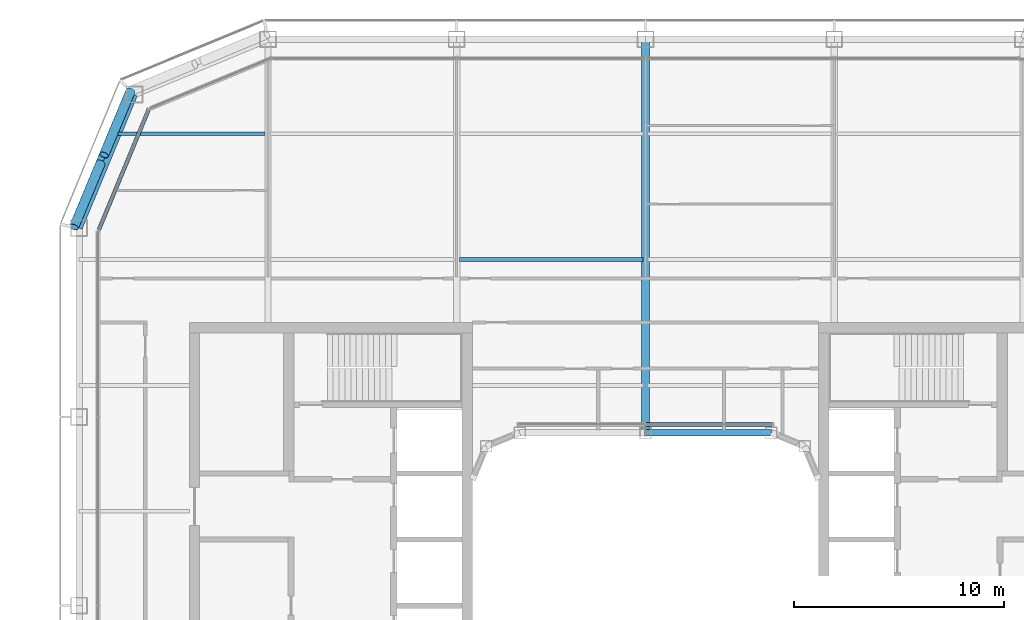
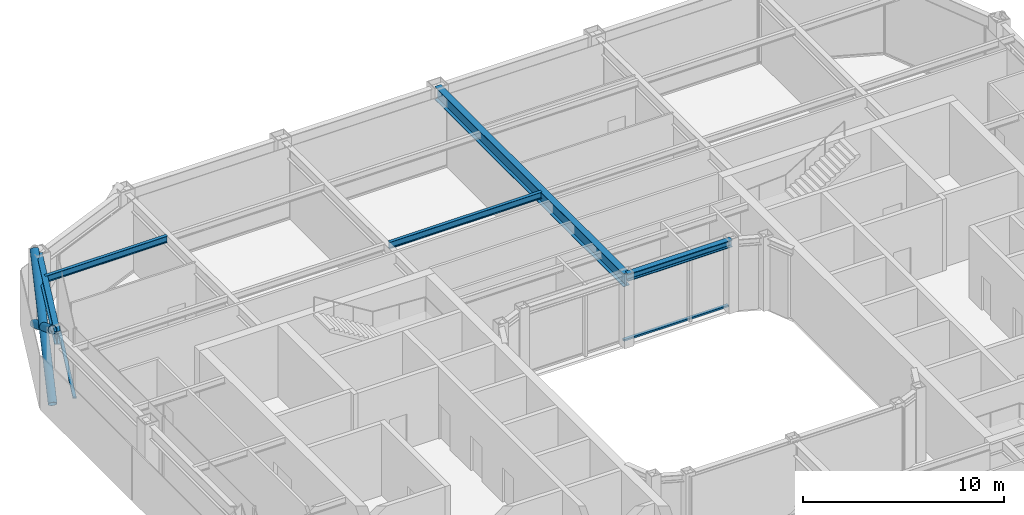
# One storey, part 7 of 23: 5 beams, 5 members, 2 elements without a shape of their own.
"""IFC4 building model written with IfcOpenShell, lengths in metres."""

from ifc_helpers import new_model, si_unit, direction, frame, origin, origin_2d, place, context, subcontext, project, spatial, rectangle, hollow_circle, i_section, extrude, material, layer, layer_set, material_profile, profile_set, type_object, element, aggregate, save


model = new_model("IFC4")

# Units and contexts
model_context = context("Model", 3, precision=1e-05, world=origin(), true_north=direction((0.0, 1.0)))
body_context = subcontext(model_context, "Body", "Model", "MODEL_VIEW")
ifc_project = project(units=[si_unit("LENGTHUNIT", "METRE"), si_unit("AREAUNIT", "SQUARE_METRE"), si_unit("VOLUMEUNIT", "CUBIC_METRE"), si_unit("PLANEANGLEUNIT", "RADIAN"), si_unit("MASSUNIT", "GRAM", prefix="KILO")], contexts=[model_context])

# Site, building, storey
site_placement = place(None, origin())
site = spatial("IfcSite", under=ifc_project, at=site_placement, CompositionType="ELEMENT")
building_placement = place(site_placement, origin())
building = spatial("IfcBuilding", under=site, at=building_placement, Name="Siwar Civic Tower", CompositionType="ELEMENT")
storey_placement = place(building_placement, frame((0.0, 0.0, 269.199951171875)))
storey = spatial("IfcBuildingStorey", under=building, at=storey_placement, Name="L58", CompositionType="ELEMENT", Elevation=269.199951171875)

# Curtain wall, member
ifc_material_1 = material(Name="Aluminium clad insulated panel", Category="aluminium")
ifc_layer_1 = layer(ifc_material_1, 0.179931640625)
ifc_layer_set_1 = layer_set([ifc_layer_1], Name="Aluminium clad insulated panel")
curtain_wall_type_1 = type_object("IfcCurtainWallType", Name="ENV-CW-CX", PredefinedType="NOTDEFINED", material=ifc_layer_set_1)
curtain_wall_1_placement = place(storey_placement, origin())
curtain_wall_1 = element("IfcCurtainWall", 1, at=curtain_wall_1_placement, inside=storey, type_object=curtain_wall_type_1, Name="Curtain wall C NW2", PredefinedType="NOTDEFINED")
ifc_material_2 = material(Name="Aluminium 6063-T6", Category="aluminium")
ifc_material_profile_1 = material_profile(ifc_material_2, rectangle(XDim=0.179931640625, YDim=0.10009765625, at=origin_2d()), Name="AL 180x100")
ifc_profile_set_1 = profile_set([ifc_material_profile_1], Name="Aluminium 6063-T6")
member_type_1 = type_object("IfcMemberType", Name="ENV-TRANSOM-C", PredefinedType="USERDEFINED", material=ifc_profile_set_1)
member_1_placement = place(storey_placement, frame((-23.6865234375, 23.6474609375, 0.050048828125), z_axis=(-0.382691366456, -0.923876246063, 0.0), x_axis=(0.923876246063, -0.382691366456, 0.0)))
member_1 = element("IfcMember", 2, at=member_1_placement, type_object=member_type_1, Name="Transom C NW2 1", ObjectType="TRANSOM", PredefinedType="USERDEFINED", context=body_context, shape_type="SweptSolid", body=[
    extrude(rectangle(XDim=0.179931640625, YDim=0.10009765625, at=origin_2d()), origin(), (0.0, 0.0, 1.0), 6.20166015625),
])
aggregate(curtain_wall_1, [member_1])

ifc_material_3 = material(Name="Aluminium and glass", Category="aluminium")
ifc_layer_2 = layer(ifc_material_3, 0.179931640625)
ifc_layer_set_2 = layer_set([ifc_layer_2], Name="Aluminium and glass")
curtain_wall_type_2 = type_object("IfcCurtainWallType", Name="ENV-CW-W", PredefinedType="NOTDEFINED", material=ifc_layer_set_2)
curtain_wall_2_placement = place(storey_placement, origin())
curtain_wall_2 = element("IfcCurtainWall", 3, at=curtain_wall_2_placement, inside=storey, type_object=curtain_wall_type_2, Name="Curtain wall W WN", PredefinedType="NOTDEFINED")
ifc_material_4 = material(Name="Aluminium 6063-T6", Category="aluminium")
ifc_material_profile_2 = material_profile(ifc_material_4, rectangle(XDim=0.179931640625, YDim=0.10009765625, at=origin_2d()), Name="AL 180x100")
ifc_profile_set_2 = profile_set([ifc_material_profile_2], Name="Aluminium 6063-T6")
member_type_2 = type_object("IfcMemberType", Name="ENV-TRANSOM-W", PredefinedType="USERDEFINED", material=ifc_profile_set_2)
member_2_placement = place(storey_placement, frame((6.046630859375, 8.635009765625, 0.050048828125), z_axis=(-1.0, 0.0, 0.0), x_axis=(0.0, -1.0, 0.0)))
member_2 = element("IfcMember", 4, at=member_2_placement, type_object=member_type_2, Name="Transom W WN 1", ObjectType="TRANSOM", PredefinedType="USERDEFINED", context=body_context, shape_type="SweptSolid", body=[
    extrude(rectangle(XDim=0.179931640625, YDim=0.10009765625, at=origin_2d()), origin(), (0.0, 0.0, 1.0), 6.0166015625),
])
aggregate(curtain_wall_2, [member_2])

# Members
ifc_material_5 = material(Name="Steel S355", Category="steel")
ifc_material_profile_3 = material_profile(ifc_material_5, hollow_circle(Radius=0.228515625, WallThickness=0.02001953125, at=origin_2d()), Name="CHS457x20")
ifc_profile_set_3 = profile_set([ifc_material_profile_3], Name="Steel S355")
member_type_3 = type_object("IfcMemberType", Name="STR-BR-CHS457x20", PredefinedType="BRACE", material=ifc_profile_set_3)
member_3_placement = place(storey_placement, frame((-27.2451171875, 18.048828125, 0.0), z_axis=(0.323905527954, 0.777554562952, 0.538975055633), x_axis=(-0.923108759191, 0.384538969033, 0.0)))
element("IfcMember", 5, at=member_3_placement, inside=storey, type_object=member_type_3, Name="L58/brc/CNW1-18-0-1", PredefinedType="BRACE", context=body_context, shape_type="SweptSolid", body=[
    extrude(hollow_circle(Radius=0.228515625, WallThickness=0.02001953125, at=origin_2d()), origin(), (0.0, 0.0, 1.0), 8.34912109375),
])
for number, where, z_axis, x_axis, name in (
    (6, (-24.540771484375, 24.540771484375, 0.0), (-0.323884455881, -0.777546448489, 0.538999424564), (0.92311621485, -0.38452107079, 0.0), "L58/brc/CNW1-18-0-2"),
    (7, (-25.972900390625, 21.10302734375, 2.383056640625), (-0.323895306243, -0.777572496853, 0.538955325357), (0.92311621485, -0.38452107079, 0.0), "L58/brc/CNW1-18-0-3"),
):
    element("IfcMember", number, at=place(storey_placement, frame(where, z_axis=z_axis, x_axis=x_axis)), inside=storey, type_object=member_type_3, Name=name, PredefinedType="BRACE", context=body_context, shape_type="SweptSolid", body=[
        extrude(hollow_circle(Radius=0.228515625, WallThickness=0.02001953125, at=origin_2d()), origin(), (0.0, 0.0, 1.0), 3.927978515625),
    ])

# Beams
ifc_material_6 = material(Name="Steel S355", Category="steel")
ifc_material_profile_4 = material_profile(ifc_material_6, i_section(OverallWidth=0.179931640625, OverallDepth=0.39990234375, WebThickness=0.008544921875, FlangeThickness=0.013427734375, FilletRadius=0.02099609375, at=origin_2d()), Name="IPE400")
ifc_profile_set_4 = profile_set([ifc_material_profile_4], Name="Steel S355")
beam_type_1 = type_object("IfcBeamType", Name="STR-FB-IPE400", PredefinedType="JOIST", material=ifc_profile_set_4)
beam_1_placement = place(storey_placement, frame((-8.8701171875, 16.5, 4.150146484375), z_axis=(1.0, 0.0, 0.0), x_axis=(0.0, 1.0, 0.0)))
element("IfcBeam", 8, at=beam_1_placement, inside=storey, type_object=beam_type_1, Name="L58/bm/F033", PredefinedType="JOIST", context=body_context, shape_type="SweptSolid", body=[
    extrude(i_section(OverallWidth=0.179931640625, OverallDepth=0.39990234375, WebThickness=0.008544921875, FlangeThickness=0.013427734375, FilletRadius=0.02099609375, at=origin_2d()), origin(), (0.0, 0.0, 1.0), 8.740234375),
])
beam_2_placement = place(storey_placement, frame((-25.135986328125, 22.5, 4.150146484375), z_axis=(1.0, 0.0, 0.0), x_axis=(0.0, 1.0, 0.0)))
element("IfcBeam", 9, at=beam_2_placement, inside=storey, type_object=beam_type_1, Name="L58/bm/F037", PredefinedType="JOIST", context=body_context, shape_type="SweptSolid", body=[
    extrude(i_section(OverallWidth=0.179931640625, OverallDepth=0.39990234375, WebThickness=0.008544921875, FlangeThickness=0.013427734375, FilletRadius=0.02099609375, at=origin_2d()), origin(), (0.0, 0.0, 1.0), 7.006103515625),
])
ifc_material_7 = material(Name="Steel S355", Category="steel")
ifc_material_profile_5 = material_profile(ifc_material_7, i_section(OverallWidth=0.360107421875, OverallDepth=0.800048828125, WebThickness=0.013916015625, FlangeThickness=0.031982421875, at=origin_2d()), Name="PG800x360x14x32")
ifc_profile_set_5 = profile_set([ifc_material_profile_5], Name="Steel S355")
beam_type_2 = type_object("IfcBeamType", Name="STR-PG-PG800x360x14x32", PredefinedType="BEAM", material=ifc_profile_set_5)
beam_3_placement = place(storey_placement, frame((0.0, 8.25, 3.949951171875), z_axis=(0.0, 1.0, 0.0), x_axis=(-1.0, 0.0, 0.0)))
element("IfcBeam", 10, at=beam_3_placement, inside=storey, type_object=beam_type_2, Name="L58/bm/G06", PredefinedType="BEAM", context=body_context, shape_type="SweptSolid", body=[
    extrude(i_section(OverallWidth=0.360107421875, OverallDepth=0.800048828125, WebThickness=0.013916015625, FlangeThickness=0.031982421875, at=origin_2d()), origin(), (0.0, 0.0, 1.0), 18.75),
])
ifc_material_8 = material(Name="Steel S355", Category="steel")
ifc_material_profile_6 = material_profile(ifc_material_8, i_section(OverallWidth=0.306884765625, OverallDepth=0.431884765625, WebThickness=0.02099609375, FlangeThickness=0.0400390625, FilletRadius=0.027099609375, at=origin_2d()), Name="HEM400")
ifc_profile_set_6 = profile_set([ifc_material_profile_6], Name="Steel S355")
beam_type_3 = type_object("IfcBeamType", Name="STR-RB-HEM400", PredefinedType="BEAM", material=ifc_profile_set_6)
beam_4_placement = place(storey_placement, frame((0.0, 8.25, 4.134033203125), z_axis=(1.0, 0.0, 0.0), x_axis=(0.0, 1.0, 0.0)))
element("IfcBeam", 11, at=beam_4_placement, inside=storey, type_object=beam_type_3, Name="L58/bm/RN2", PredefinedType="BEAM", context=body_context, shape_type="SweptSolid", body=[
    extrude(i_section(OverallWidth=0.306884765625, OverallDepth=0.431884765625, WebThickness=0.02099609375, FlangeThickness=0.0400390625, FilletRadius=0.027099609375, at=origin_2d()), origin(), (0.0, 0.0, 1.0), 6.0),
])
ifc_material_9 = material(Name="Steel S355", Category="steel")
ifc_material_profile_7 = material_profile(ifc_material_9, i_section(OverallWidth=0.300048828125, OverallDepth=0.800048828125, WebThickness=0.017578125, FlangeThickness=0.032958984375, FilletRadius=0.030029296875, at=origin_2d()), Name="HEB800")
ifc_profile_set_7 = profile_set([ifc_material_profile_7], Name="Steel S355")
beam_type_4 = type_object("IfcBeamType", Name="STR-SB-HEB800", PredefinedType="BEAM", material=ifc_profile_set_7)
beam_5_placement = place(storey_placement, frame((-24.364013671875, 24.364013671875, 3.949951171875), z_axis=(-0.382674207535, -0.923883353507, 0.0), x_axis=(0.923883353507, -0.382674207535, 0.0)))
element("IfcBeam", 12, at=beam_5_placement, inside=storey, type_object=beam_type_4, Name="L58/bm/SNW2-0", PredefinedType="BEAM", context=body_context, shape_type="SweptSolid", body=[
    extrude(i_section(OverallWidth=0.300048828125, OverallDepth=0.800048828125, WebThickness=0.017578125, FlangeThickness=0.032958984375, FilletRadius=0.030029296875, at=origin_2d()), origin(), (0.0, 0.0, 1.0), 6.888427734375),
])

save(model, "model.ifc")
